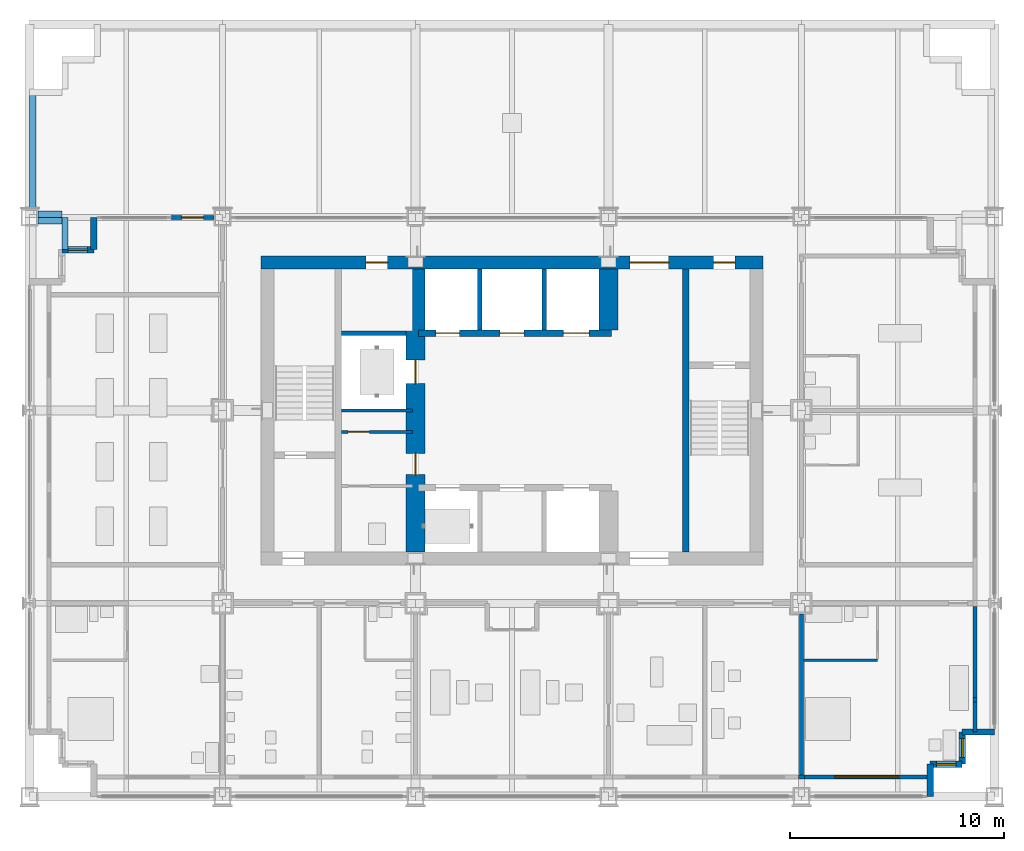
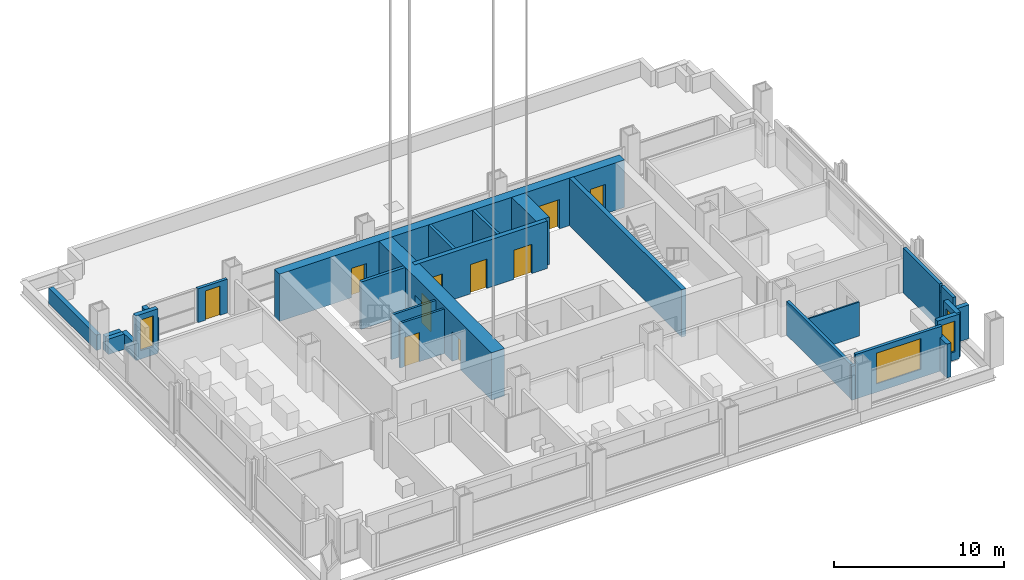
# One storey, part 9 of 15: 28 walls, 10 doors, 4 windows, 14 openings.
"""IFC4 building model written with IfcOpenShell, lengths in metres."""

from ifc_helpers import new_model, si_unit, direction, frame, frame_2d, origin, place, context, subcontext, project, spatial, rectangle, extrude, material, layer, layer_set, type_object, element, fill, save


model = new_model("IFC4")

# Units and contexts
model_context = context("Model", 3, precision=1e-05, world=origin(), true_north=direction((0.0, 1.0)))
body_context = subcontext(model_context, "Body", "Model", "MODEL_VIEW")
ifc_project = project(units=[si_unit("LENGTHUNIT", "METRE"), si_unit("AREAUNIT", "SQUARE_METRE"), si_unit("VOLUMEUNIT", "CUBIC_METRE"), si_unit("PLANEANGLEUNIT", "RADIAN"), si_unit("MASSUNIT", "GRAM", prefix="KILO")], contexts=[model_context])

# Site, building, storey
site_placement = place(None, origin())
site = spatial("IfcSite", under=ifc_project, at=site_placement, CompositionType="ELEMENT")
building_placement = place(site_placement, origin())
building = spatial("IfcBuilding", under=site, at=building_placement, Name="Loomwork Tower", CompositionType="ELEMENT")
storey_placement = place(building_placement, frame((0.0, 0.0, 160.39990234375)))
storey = spatial("IfcBuildingStorey", under=building, at=storey_placement, Name="L43", CompositionType="ELEMENT", Elevation=160.39990234375)

# Wall, openings, doors
ifc_material_1 = material(Name="Concrete 14000 psi (97 MPa)", Category="concrete")
ifc_layer_1 = layer(ifc_material_1, 0.300048828125)
ifc_layer_set_1 = layer_set([ifc_layer_1], Name="Core shear wall 300")
wall_type_1 = type_object("IfcWallType", Name="Core shear wall 300", PredefinedType="SHEAR", material=ifc_layer_set_1)
wall_1_placement = place(storey_placement, frame((18.14990234375, 21.60009765625, 0.0), z_axis=(0.0, 0.0, 1.0), x_axis=(1.0, 0.0, 0.0)))
wall_1 = element("IfcWall", 1, at=wall_1_placement, inside=storey, type_object=wall_type_1, Name="Lift front wall north L43", PredefinedType="SHEAR", context=body_context, shape_type="SweptSolid", body=[
    extrude(rectangle(XDim=9.0, YDim=0.300048828125, at=frame_2d((4.5, 0.0))), origin(), (0.0, 0.0, 1.0), 3.400146484375),
])
opening_1_placement = place(wall_1_placement, frame((0.800048828125, 0.0, 0.0)))
opening_1 = element("IfcOpeningElement", 2, at=opening_1_placement, cuts=wall_1, Name="Opening LD1", PredefinedType="OPENING", context=body_context, shape_type="SweptSolid", body=[
    extrude(rectangle(XDim=1.10009765625, YDim=2.10009765625, at=frame_2d((0.550048828125, 1.050048828125))), frame((0.0, 0.159912109375, 0.0), z_axis=(0.0, -1.0, 0.0), x_axis=(1.0, 0.0, 0.0)), (0.0, 0.0, 1.0), 0.320068359375),
])
opening_2_placement = place(wall_1_placement, frame((3.800048828125, 0.0, 0.0)))
opening_2 = element("IfcOpeningElement", 3, at=opening_2_placement, cuts=wall_1, Name="Opening LD1", PredefinedType="OPENING", context=body_context, shape_type="SweptSolid", body=[
    extrude(rectangle(XDim=1.10009765625, YDim=2.10009765625, at=frame_2d((0.550048828125, 1.050048828125))), frame((0.0, 0.159912109375, 0.0), z_axis=(0.0, -1.0, 0.0), x_axis=(1.0, 0.0, 0.0)), (0.0, 0.0, 1.0), 0.320068359375),
])
opening_3_placement = place(wall_1_placement, frame((6.75, 0.0, 0.0)))
opening_3 = element("IfcOpeningElement", 4, at=opening_3_placement, cuts=wall_1, Name="Opening LD2", PredefinedType="OPENING", context=body_context, shape_type="SweptSolid", body=[
    extrude(rectangle(XDim=1.199951171875, YDim=2.10009765625, at=frame_2d((0.60009765625, 1.050048828125))), frame((0.0, 0.159912109375, 0.0), z_axis=(0.0, -1.0, 0.0), x_axis=(1.0, 0.0, 0.0)), (0.0, 0.0, 1.0), 0.320068359375),
])
ifc_material_2 = material(Name="Hollow metal door and frame")
door_type_1 = type_object("IfcDoorType", Name="Lift landing door 1100", OperationType="SLIDING_TO_LEFT", PredefinedType="DOOR", material=ifc_material_2)
door_1_placement = place(opening_1_placement, origin())
door_1 = element("IfcDoor", 5, at=door_1_placement, inside=storey, type_object=door_type_1, Name="Lift landing door LS1", OperationType="SLIDING_TO_LEFT", OverallHeight=2.10009765625, OverallWidth=1.10009765625, PredefinedType="DOOR", context=body_context, shape_type="SweptSolid", body=[
    extrude(rectangle(XDim=1.10009765625, YDim=2.10009765625, at=frame_2d((0.550048828125, 1.050048828125))), frame((0.0, 0.02490234375, 0.0), z_axis=(0.0, -1.0, 0.0), x_axis=(1.0, 0.0, 0.0)), (0.0, 0.0, 1.0), 0.050048828125),
])
fill(opening_1, door_1)
door_2_placement = place(opening_2_placement, origin())
door_2 = element("IfcDoor", 6, at=door_2_placement, inside=storey, type_object=door_type_1, Name="Lift landing door LS2", OperationType="SLIDING_TO_LEFT", OverallHeight=2.10009765625, OverallWidth=1.10009765625, PredefinedType="DOOR", context=body_context, shape_type="SweptSolid", body=[
    extrude(rectangle(XDim=1.10009765625, YDim=2.10009765625, at=frame_2d((0.550048828125, 1.050048828125))), frame((0.0, 0.02490234375, 0.0), z_axis=(0.0, -1.0, 0.0), x_axis=(1.0, 0.0, 0.0)), (0.0, 0.0, 1.0), 0.050048828125),
])
fill(opening_2, door_2)
ifc_material_3 = material(Name="Hollow metal door and frame")
door_type_2 = type_object("IfcDoorType", Name="Lift landing door 1200", OperationType="SLIDING_TO_LEFT", PredefinedType="DOOR", material=ifc_material_3)
door_3_placement = place(opening_3_placement, origin())
door_3 = element("IfcDoor", 7, at=door_3_placement, inside=storey, type_object=door_type_2, Name="Lift landing door LF2", OperationType="SLIDING_TO_LEFT", OverallHeight=2.10009765625, OverallWidth=1.199951171875, PredefinedType="DOOR", context=body_context, shape_type="SweptSolid", body=[
    extrude(rectangle(XDim=1.199951171875, YDim=2.10009765625, at=frame_2d((0.60009765625, 1.050048828125))), frame((0.0, 0.02490234375, 0.0), z_axis=(0.0, -1.0, 0.0), x_axis=(1.0, 0.0, 0.0)), (0.0, 0.0, 1.0), 0.050048828125),
])
fill(opening_3, door_3)

# Wall
wall_2_placement = place(storey_placement, frame((30.60009765625, 11.39990234375, 0.0), z_axis=(0.0, 0.0, 1.0), x_axis=(0.0, 1.0, 0.0)))
element("IfcWall", 8, at=wall_2_placement, inside=storey, type_object=wall_type_1, Name="Stair B west wall L43", PredefinedType="SHEAR", context=body_context, shape_type="SweptSolid", body=[
    extrude(rectangle(XDim=13.2001953125, YDim=0.300048828125, at=frame_2d((6.60009765625, 0.0))), origin(), (0.0, 0.0, 1.0), 3.400146484375),
])

# Wall, openings, doors
ifc_material_4 = material(Name="Concrete 14000 psi (97 MPa)", Category="concrete")
ifc_layer_2 = layer(ifc_material_4, 0.60009765625)
ifc_layer_set_2 = layer_set([ifc_layer_2], Name="Core shear wall 600")
wall_type_2 = type_object("IfcWallType", Name="Core shear wall 600", PredefinedType="SHEAR", material=ifc_layer_set_2)
wall_3_placement = place(storey_placement, frame((10.800048828125, 24.89990234375, 0.0), z_axis=(0.0, 0.0, 1.0), x_axis=(1.0, 0.0, 0.0)))
wall_3 = element("IfcWall", 9, at=wall_3_placement, inside=storey, type_object=wall_type_2, Name="Core wall north L43", PredefinedType="SHEAR", context=body_context, shape_type="SweptSolid", body=[
    extrude(rectangle(XDim=23.39990234375, YDim=0.60009765625, at=frame_2d((11.699951171875, 0.0))), origin(), (0.0, 0.0, 1.0), 3.400146484375),
])
opening_4_placement = place(wall_3_placement, frame((17.199951171875, 0.0, 0.0)))
opening_4 = element("IfcOpeningElement", 10, at=opening_4_placement, cuts=wall_3, Name="Opening D6", PredefinedType="OPENING", context=body_context, shape_type="SweptSolid", body=[
    extrude(rectangle(XDim=1.800048828125, YDim=2.10009765625, at=frame_2d((0.89990234375, 1.050048828125))), frame((0.0, 0.31005859375, 0.0), z_axis=(0.0, -1.0, 0.0), x_axis=(1.0, 0.0, 0.0)), (0.0, 0.0, 1.0), 0.6201171875),
])
opening_5_placement = place(wall_3_placement, frame((21.10009765625, 0.0, 0.0)))
opening_5 = element("IfcOpeningElement", 11, at=opening_5_placement, cuts=wall_3, Name="Opening D4", PredefinedType="OPENING", context=body_context, shape_type="SweptSolid", body=[
    extrude(rectangle(XDim=1.0, YDim=2.10009765625, at=frame_2d((0.5, 1.050048828125))), frame((0.0, 0.31005859375, 0.0), z_axis=(0.0, -1.0, 0.0), x_axis=(1.0, 0.0, 0.0)), (0.0, 0.0, 1.0), 0.6201171875),
])
opening_6_placement = place(wall_3_placement, frame((4.89990234375, 0.0, 0.0)))
opening_6 = element("IfcOpeningElement", 12, at=opening_6_placement, cuts=wall_3, Name="Opening D5", PredefinedType="OPENING", context=body_context, shape_type="SweptSolid", body=[
    extrude(rectangle(XDim=1.0, YDim=2.10009765625, at=frame_2d((0.5, 1.050048828125))), frame((0.0, 0.31005859375, 0.0), z_axis=(0.0, -1.0, 0.0), x_axis=(1.0, 0.0, 0.0)), (0.0, 0.0, 1.0), 0.6201171875),
])
ifc_material_5 = material(Name="Hollow metal door and frame")
door_type_3 = type_object("IfcDoorType", Name="Lobby passage double door 1800", OperationType="DOUBLE_DOOR_SINGLE_SWING", PredefinedType="DOOR", material=ifc_material_5)
door_4_placement = place(opening_4_placement, frame((1.800048828125, 0.0, 0.0), z_axis=(0.0, 0.0, 1.0), x_axis=(-1.0, 0.0, 0.0)))
door_4 = element("IfcDoor", 13, at=door_4_placement, inside=storey, type_object=door_type_3, Name="Lobby passage door north", OperationType="DOUBLE_DOOR_SINGLE_SWING", OverallHeight=2.10009765625, OverallWidth=1.800048828125, PredefinedType="DOOR", context=body_context, shape_type="SweptSolid", body=[
    extrude(rectangle(XDim=1.800048828125, YDim=2.10009765625, at=frame_2d((0.89990234375, 1.050048828125))), frame((0.0, 0.02490234375, 0.0), z_axis=(0.0, -1.0, 0.0), x_axis=(1.0, 0.0, 0.0)), (0.0, 0.0, 1.0), 0.050048828125),
])
fill(opening_4, door_4)
ifc_material_6 = material(Name="Hollow metal door and frame")
door_type_4 = type_object("IfcDoorType", Name="Service door 1000", OperationType="SINGLE_SWING_LEFT", PredefinedType="DOOR", material=ifc_material_6)
door_5_placement = place(opening_6_placement, frame((1.0, 0.0, 0.0), z_axis=(0.0, 0.0, 1.0), x_axis=(-1.0, 0.0, 0.0)))
door_5 = element("IfcDoor", 14, at=door_5_placement, inside=storey, type_object=door_type_4, Name="Back-of-house door north", OperationType="SINGLE_SWING_LEFT", OverallHeight=2.10009765625, OverallWidth=1.0, PredefinedType="DOOR", context=body_context, shape_type="SweptSolid", body=[
    extrude(rectangle(XDim=1.0, YDim=2.10009765625, at=frame_2d((0.5, 1.050048828125))), frame((0.0, 0.02490234375, 0.0), z_axis=(0.0, -1.0, 0.0), x_axis=(1.0, 0.0, 0.0)), (0.0, 0.0, 1.0), 0.050048828125),
])
fill(opening_6, door_5)
ifc_material_7 = material(Name="Hollow metal door and frame")
door_type_5 = type_object("IfcDoorType", Name="Stair door 1000", OperationType="SINGLE_SWING_RIGHT", PredefinedType="DOOR", material=ifc_material_7)
door_6_placement = place(opening_5_placement, frame((1.0, 0.0, 0.0), z_axis=(0.0, 0.0, 1.0), x_axis=(-1.0, 0.0, 0.0)))
door_6 = element("IfcDoor", 15, at=door_6_placement, inside=storey, type_object=door_type_5, Name="Stair B vestibule door", OperationType="SINGLE_SWING_LEFT", OverallHeight=2.10009765625, OverallWidth=1.0, PredefinedType="DOOR", context=body_context, shape_type="SweptSolid", body=[
    extrude(rectangle(XDim=1.0, YDim=2.10009765625, at=frame_2d((0.5, 1.050048828125))), frame((0.0, 0.02490234375, 0.0), z_axis=(0.0, -1.0, 0.0), x_axis=(1.0, 0.0, 0.0)), (0.0, 0.0, 1.0), 0.050048828125),
])
fill(opening_5, door_6)

ifc_material_8 = material(Name="Concrete 14000 psi (97 MPa)", Category="concrete")
ifc_layer_3 = layer(ifc_material_8, 0.89990234375)
ifc_layer_set_3 = layer_set([ifc_layer_3], Name="Core shear wall 900")
wall_type_3 = type_object("IfcWallType", Name="Core shear wall 900", PredefinedType="SHEAR", material=ifc_layer_set_3)
wall_4_placement = place(storey_placement, frame((18.0, 11.39990234375, 0.0), z_axis=(0.0, 0.0, 1.0), x_axis=(0.0, 1.0, 0.0)))
wall_4 = element("IfcWall", 16, at=wall_4_placement, inside=storey, type_object=wall_type_3, Name="Lobby west wall L43", PredefinedType="SHEAR", context=body_context, shape_type="SweptSolid", body=[
    extrude(rectangle(XDim=13.2001953125, YDim=0.89990234375, at=frame_2d((6.60009765625, 0.0))), origin(), (0.0, 0.0, 1.0), 3.400146484375),
])
opening_7_placement = place(wall_4_placement, frame((3.60009765625, 0.0, 0.0)))
opening_7 = element("IfcOpeningElement", 17, at=opening_7_placement, cuts=wall_4, Name="Opening D5", PredefinedType="OPENING", context=body_context, shape_type="SweptSolid", body=[
    extrude(rectangle(XDim=1.0, YDim=2.10009765625, at=frame_2d((0.5, 1.050048828125))), frame((0.0, 0.4599609375, 0.0), z_axis=(0.0, -1.0, 0.0), x_axis=(1.0, 0.0, 0.0)), (0.0, 0.0, 1.0), 0.919921875),
])
opening_8_placement = place(wall_4_placement, frame((7.85009765625, 0.0, 0.0)))
opening_8 = element("IfcOpeningElement", 18, at=opening_8_placement, cuts=wall_4, Name="Opening LD1", PredefinedType="OPENING", context=body_context, shape_type="SweptSolid", body=[
    extrude(rectangle(XDim=1.10009765625, YDim=2.10009765625, at=frame_2d((0.550048828125, 1.050048828125))), frame((0.0, 0.4599609375, 0.0), z_axis=(0.0, -1.0, 0.0), x_axis=(1.0, 0.0, 0.0)), (0.0, 0.0, 1.0), 0.919921875),
])
door_7_placement = place(opening_8_placement, origin())
door_7 = element("IfcDoor", 19, at=door_7_placement, inside=storey, type_object=door_type_1, Name="Lift landing door LC2", OperationType="SLIDING_TO_LEFT", OverallHeight=2.10009765625, OverallWidth=1.10009765625, PredefinedType="DOOR", context=body_context, shape_type="SweptSolid", body=[
    extrude(rectangle(XDim=1.10009765625, YDim=2.10009765625, at=frame_2d((0.550048828125, 1.050048828125))), frame((0.0, 0.02490234375, 0.0), z_axis=(0.0, -1.0, 0.0), x_axis=(1.0, 0.0, 0.0)), (0.0, 0.0, 1.0), 0.050048828125),
])
fill(opening_8, door_7)
door_8_placement = place(opening_7_placement, origin())
door_8 = element("IfcDoor", 20, at=door_8_placement, inside=storey, type_object=door_type_4, Name="Back-of-house door south", OperationType="SINGLE_SWING_LEFT", OverallHeight=2.10009765625, OverallWidth=1.0, PredefinedType="DOOR", context=body_context, shape_type="SweptSolid", body=[
    extrude(rectangle(XDim=1.0, YDim=2.10009765625, at=frame_2d((0.5, 1.050048828125))), frame((0.0, 0.02490234375, 0.0), z_axis=(0.0, -1.0, 0.0), x_axis=(1.0, 0.0, 0.0)), (0.0, 0.0, 1.0), 0.050048828125),
])
fill(opening_7, door_8)

# Walls
wall_5_placement = place(storey_placement, frame((27.0, 21.75, 0.0), z_axis=(0.0, 0.0, 1.0), x_axis=(0.0, 1.0, 0.0)))
element("IfcWall", 21, at=wall_5_placement, inside=storey, type_object=wall_type_3, Name="Lift shaft end wall north L43", PredefinedType="SHEAR", context=body_context, shape_type="SweptSolid", body=[
    extrude(rectangle(XDim=2.85009765625, YDim=0.89990234375, at=frame_2d((1.425048828125, 0.0))), origin(), (0.0, 0.0, 1.0), 3.400146484375),
])
ifc_material_9 = material(Name="Cement board on steel studs", Category="steel")
ifc_layer_4 = layer(ifc_material_9, 0.10009765625)
ifc_layer_set_4 = layer_set([ifc_layer_4], Name="En-suite partition 100")
wall_type_4 = type_object("IfcWallType", Name="En-suite partition 100", PredefinedType="PARTITIONING", material=ifc_layer_set_4)
wall_6_placement = place(storey_placement, frame((36.10009765625, 6.35009765625, 0.0), z_axis=(0.0, 0.0, 1.0), x_axis=(1.0, 0.0, 0.0)))
element("IfcWall", 22, at=wall_6_placement, inside=storey, type_object=wall_type_4, Name="En-suite wall L43 room 7", PredefinedType="PARTITIONING", context=body_context, shape_type="SweptSolid", body=[
    extrude(rectangle(XDim=3.449951171875, YDim=0.10009765625, at=frame_2d((1.72509765625, 0.0))), origin(), (0.0, 0.0, 1.0), 2.43798828125),
])
ifc_material_10 = material(Name="Gypsum board on steel studs, acoustic", Category="steel")
ifc_layer_5 = layer(ifc_material_10, 0.199951171875)
ifc_layer_set_5 = layer_set([ifc_layer_5], Name="Guest room party wall 200")
wall_type_5 = type_object("IfcWallType", Name="Guest room party wall 200", PredefinedType="PARTITIONING", material=ifc_layer_set_5)
wall_7_placement = place(storey_placement, frame((36.0, 8.5, 0.0), z_axis=(0.0, 0.0, 1.0), x_axis=(0.0, -1.0, 0.0)))
element("IfcWall", 23, at=wall_7_placement, inside=storey, type_object=wall_type_5, Name="Guest room party wall S 36", PredefinedType="PARTITIONING", context=body_context, shape_type="SweptSolid", body=[
    extrude(rectangle(XDim=7.5, YDim=0.199951171875, at=frame_2d((3.75, 0.0))), origin(), (0.0, 0.0, 1.0), 2.43798828125),
])
ifc_material_11 = material(Name="Insulated steel stud wall with gypsum lining", Category="steel")
ifc_layer_6 = layer(ifc_material_11, 0.199951171875)
ifc_layer_set_6 = layer_set([ifc_layer_6], Name="Inner skin wall 200")
wall_type_6 = type_object("IfcWallType", Name="Inner skin wall 200", PredefinedType="SOLIDWALL", material=ifc_layer_set_6)
wall_8_placement = place(storey_placement, frame((44.10009765625, 3.0, 0.0), z_axis=(0.0, 0.0, 1.0), x_axis=(0.0, 1.0, 0.0)))
element("IfcWall", 24, at=wall_8_placement, inside=storey, type_object=wall_type_6, Name="Inner skin wall E", PredefinedType="SOLIDWALL", context=body_context, shape_type="SweptSolid", body=[
    extrude(rectangle(XDim=1.392578125, YDim=0.199951171875, at=frame_2d((0.6962890625, 0.0))), origin(), (0.0, 0.0, 1.0), 3.2001953125),
])
wall_9_placement = place(storey_placement, frame((35.864501953125, 0.89990234375, 0.0), z_axis=(0.0, 0.0, 1.0), x_axis=(1.0, 0.0, 0.0)))
element("IfcWall", 25, at=wall_9_placement, inside=storey, type_object=wall_type_6, Name="Inner skin wall S bay 8", PredefinedType="SOLIDWALL", context=body_context, shape_type="SweptSolid", body=[
    extrude(rectangle(XDim=0.27099609375, YDim=0.199951171875, at=frame_2d((0.135498046875, 0.0))), origin(), (0.0, 0.0, 1.0), 2.43798828125),
])

# Wall, opening, window
wall_10_placement = place(storey_placement, frame((36.135498046875, 0.89990234375, 0.0), z_axis=(0.0, 0.0, 1.0), x_axis=(1.0, 0.0, 0.0)))
wall_10 = element("IfcWall", 26, at=wall_10_placement, inside=storey, type_object=wall_type_6, Name="Inner skin wall S bay 9", PredefinedType="SOLIDWALL", context=body_context, shape_type="SweptSolid", body=[
    extrude(rectangle(XDim=5.864501953125, YDim=0.199951171875, at=frame_2d((2.93212890625, 0.0))), origin(), (0.0, 0.0, 1.0), 3.2001953125),
])
opening_9_placement = place(wall_10_placement, frame((1.41455078125, 0.0, 0.60009765625)))
opening_9 = element("IfcOpeningElement", 27, at=opening_9_placement, cuts=wall_10, Name="Opening CH1", PredefinedType="OPENING", context=body_context, shape_type="SweptSolid", body=[
    extrude(rectangle(XDim=3.0, YDim=2.199951171875, at=frame_2d((1.5, 1.10009765625))), frame((0.0, 0.10986328125, 0.0), z_axis=(0.0, -1.0, 0.0), x_axis=(1.0, 0.0, 0.0)), (0.0, 0.0, 1.0), 0.219970703125),
])
ifc_material_12 = material(Name="Aluminium frame with clear insulated glass", Category="aluminium")
window_type_1 = type_object("IfcWindowType", Name="Chicago window 3000", PartitioningType="TRIPLE_PANEL_VERTICAL", PredefinedType="WINDOW", material=ifc_material_12)
window_1_placement = place(opening_9_placement, origin())
window_1 = element("IfcWindow", 28, at=window_1_placement, inside=storey, type_object=window_type_1, Name="Chicago window L43 bay 5", OverallHeight=2.199951171875, OverallWidth=3.0, PartitioningType="TRIPLE_PANEL_VERTICAL", PredefinedType="WINDOW", context=body_context, shape_type="SweptSolid", body=[
    extrude(rectangle(XDim=3.0, YDim=2.199951171875, at=frame_2d((1.5, 1.10009765625))), frame((0.0, 0.030029296875, 0.0), z_axis=(0.0, -1.0, 0.0), x_axis=(1.0, 0.0, 0.0)), (0.0, 0.0, 1.0), 0.06005859375),
])
fill(opening_9, window_1)

# Walls
wall_11_placement = place(storey_placement, frame((44.10009765625, 4.392578125, 0.0), z_axis=(0.0, 0.0, 1.0), x_axis=(0.0, 1.0, 0.0)))
element("IfcWall", 29, at=wall_11_placement, inside=storey, type_object=wall_type_6, Name="Inner skin wall E bay 2", PredefinedType="SOLIDWALL", context=body_context, shape_type="SweptSolid", body=[
    extrude(rectangle(XDim=0.21484375, YDim=0.199951171875, at=frame_2d((0.107421875, 0.0))), origin(), (0.0, 0.0, 1.0), 2.6611328125),
])
wall_12_placement = place(storey_placement, frame((44.10009765625, 4.607421875, 0.0), z_axis=(0.0, 0.0, 1.0), x_axis=(0.0, 1.0, 0.0)))
element("IfcWall", 30, at=wall_12_placement, inside=storey, type_object=wall_type_6, Name="Inner skin wall E bay 3", PredefinedType="SOLIDWALL", context=body_context, shape_type="SweptSolid", body=[
    extrude(rectangle(XDim=4.25732421875, YDim=0.199951171875, at=frame_2d((2.128662109375, 0.0))), origin(), (0.0, 0.0, 1.0), 3.2001953125),
])
ifc_material_13 = material(Name="Concrete 14000 psi (97 MPa)", Category="concrete")
ifc_layer_7 = layer(ifc_material_13, 0.199951171875)
ifc_layer_set_7 = layer_set([ifc_layer_7], Name="Lift shaft wall 200")
wall_type_7 = type_object("IfcWallType", Name="Lift shaft wall 200", PredefinedType="SHEAR", material=ifc_layer_set_7)
for number, where, z_axis, x_axis, name in (
    (31, (21.0, 21.75, 0.0), (0.0, 0.0, 1.0), (0.0, 1.0, 0.0), "Lift shaft separation wall north 1 L43"),
    (32, (24.0, 21.75, 0.0), (0.0, 0.0, 1.0), (0.0, 1.0, 0.0), "Lift shaft separation wall north 2 L43"),
):
    element("IfcWall", number, at=place(storey_placement, frame(where, z_axis=z_axis, x_axis=x_axis)), inside=storey, type_object=wall_type_7, Name=name, PredefinedType="SHEAR", context=body_context, shape_type="SweptSolid", body=[
        extrude(rectangle(XDim=2.85009765625, YDim=0.199951171875, at=frame_2d((1.425048828125, 0.0))), origin(), (0.0, 0.0, 1.0), 3.400146484375),
    ])
wall_13_placement = place(storey_placement, frame((14.550048828125, 21.60009765625, 0.0), z_axis=(0.0, 0.0, 1.0), x_axis=(1.0, 0.0, 0.0)))
element("IfcWall", 33, at=wall_13_placement, inside=storey, type_object=wall_type_7, Name="Lift shaft wall west north L43", PredefinedType="SHEAR", context=body_context, shape_type="SweptSolid", body=[
    extrude(rectangle(XDim=3.0, YDim=0.199951171875, at=frame_2d((1.5, 0.0))), origin(), (0.0, 0.0, 1.0), 3.400146484375),
])
ifc_material_14 = material(Name="Limestone on concrete masonry", Category="masonry")
ifc_layer_8 = layer(ifc_material_14, 0.300048828125)
ifc_layer_set_8 = layer_set([ifc_layer_8], Name="Limestone corner wall 300")
wall_type_8 = type_object("IfcWallType", Name="Limestone corner wall 300", PredefinedType="SOLIDWALL", material=ifc_layer_set_8)
wall_14_placement = place(storey_placement, frame((42.0, 0.0, 0.0), z_axis=(0.0, 0.0, 1.0), x_axis=(0.0, 1.0, 0.0)))
element("IfcWall", 34, at=wall_14_placement, inside=storey, type_object=wall_type_8, Name="Stone corner wall SE 1", PredefinedType="SOLIDWALL", context=body_context, shape_type="SweptSolid", body=[
    extrude(rectangle(XDim=1.5, YDim=0.300048828125, at=frame_2d((0.75, 0.0))), origin(), (0.0, 0.0, 1.0), 2.420166015625),
])

# Wall, opening, window
wall_15_placement = place(storey_placement, frame((42.0, 1.5, 0.0), z_axis=(0.0, 0.0, 1.0), x_axis=(1.0, 0.0, 0.0)))
wall_15 = element("IfcWall", 35, at=wall_15_placement, inside=storey, type_object=wall_type_8, Name="Stone corner wall SE 2", PredefinedType="SOLIDWALL", context=body_context, shape_type="SweptSolid", body=[
    extrude(rectangle(XDim=1.5, YDim=0.300048828125, at=frame_2d((0.75, 0.0))), origin(), (0.0, 0.0, 1.0), 3.2001953125),
])
opening_10_placement = place(wall_15_placement, frame((0.300048828125, 0.0, 0.60009765625)))
opening_10 = element("IfcOpeningElement", 36, at=opening_10_placement, cuts=wall_15, Name="Opening CH2", PredefinedType="OPENING", context=body_context, shape_type="SweptSolid", body=[
    extrude(rectangle(XDim=0.89990234375, YDim=2.199951171875, at=frame_2d((0.449951171875, 1.10009765625))), frame((0.0, 0.159912109375, 0.0), z_axis=(0.0, -1.0, 0.0), x_axis=(1.0, 0.0, 0.0)), (0.0, 0.0, 1.0), 0.320068359375),
])
ifc_material_15 = material(Name="Aluminium frame with clear insulated glass", Category="aluminium")
window_type_2 = type_object("IfcWindowType", Name="Corner window 900", PartitioningType="SINGLE_PANEL", PredefinedType="WINDOW", material=ifc_material_15)
window_2_placement = place(opening_10_placement, origin())
window_2 = element("IfcWindow", 37, at=window_2_placement, inside=storey, type_object=window_type_2, Name="Corner window SE", OverallHeight=2.199951171875, OverallWidth=0.89990234375, PartitioningType="SINGLE_PANEL", PredefinedType="WINDOW", context=body_context, shape_type="SweptSolid", body=[
    extrude(rectangle(XDim=0.89990234375, YDim=2.199951171875, at=frame_2d((0.449951171875, 1.10009765625))), frame((0.0, 0.030029296875, 0.0), z_axis=(0.0, -1.0, 0.0), x_axis=(1.0, 0.0, 0.0)), (0.0, 0.0, 1.0), 0.06005859375),
])
fill(opening_10, window_2)

wall_16_placement = place(storey_placement, frame((43.5, 1.5, 0.0), z_axis=(0.0, 0.0, 1.0), x_axis=(0.0, 1.0, 0.0)))
wall_16 = element("IfcWall", 38, at=wall_16_placement, inside=storey, type_object=wall_type_8, Name="Stone corner wall SE 3", PredefinedType="SOLIDWALL", context=body_context, shape_type="SweptSolid", body=[
    extrude(rectangle(XDim=1.5, YDim=0.300048828125, at=frame_2d((0.75, 0.0))), origin(), (0.0, 0.0, 1.0), 3.2001953125),
])
opening_11_placement = place(wall_16_placement, frame((0.300048828125, 0.0, 0.60009765625)))
opening_11 = element("IfcOpeningElement", 39, at=opening_11_placement, cuts=wall_16, Name="Opening CH2", PredefinedType="OPENING", context=body_context, shape_type="SweptSolid", body=[
    extrude(rectangle(XDim=0.89990234375, YDim=2.199951171875, at=frame_2d((0.449951171875, 1.10009765625))), frame((0.0, 0.159912109375, 0.0), z_axis=(0.0, -1.0, 0.0), x_axis=(1.0, 0.0, 0.0)), (0.0, 0.0, 1.0), 0.320068359375),
])
window_3_placement = place(opening_11_placement, origin())
window_3 = element("IfcWindow", 40, at=window_3_placement, inside=storey, type_object=window_type_2, Name="Corner window SE", OverallHeight=2.199951171875, OverallWidth=0.89990234375, PartitioningType="SINGLE_PANEL", PredefinedType="WINDOW", context=body_context, shape_type="SweptSolid", body=[
    extrude(rectangle(XDim=0.89990234375, YDim=2.199951171875, at=frame_2d((0.449951171875, 1.10009765625))), frame((0.0, 0.030029296875, 0.0), z_axis=(0.0, -1.0, 0.0), x_axis=(1.0, 0.0, 0.0)), (0.0, 0.0, 1.0), 0.06005859375),
])
fill(opening_11, window_3)

# Walls
for number, where, z_axis, x_axis, name in (
    (41, (43.5, 3.0, 0.0), (0.0, 0.0, 1.0), (1.0, 0.0, 0.0), "Stone corner wall SE 4"),
    (42, (3.0, 27.0, 0.0), (0.0, 0.0, 1.0), (0.0, -1.0, 0.0), "Stone corner wall NW 1"),
):
    element("IfcWall", number, at=place(storey_placement, frame(where, z_axis=z_axis, x_axis=x_axis)), inside=storey, type_object=wall_type_8, Name=name, PredefinedType="SOLIDWALL", context=body_context, shape_type="SweptSolid", body=[
        extrude(rectangle(XDim=1.5, YDim=0.300048828125, at=frame_2d((0.75, 0.0))), origin(), (0.0, 0.0, 1.0), 2.420166015625),
    ])

# Wall, opening, window
wall_17_placement = place(storey_placement, frame((3.0, 25.5, 0.0), z_axis=(0.0, 0.0, 1.0), x_axis=(-1.0, 0.0, 0.0)))
wall_17 = element("IfcWall", 43, at=wall_17_placement, inside=storey, type_object=wall_type_8, Name="Stone corner wall NW 2", PredefinedType="SOLIDWALL", context=body_context, shape_type="SweptSolid", body=[
    extrude(rectangle(XDim=1.5, YDim=0.300048828125, at=frame_2d((0.75, 0.0))), origin(), (0.0, 0.0, 1.0), 3.2001953125),
])
opening_12_placement = place(wall_17_placement, frame((0.300048828125, 0.0, 0.60009765625)))
opening_12 = element("IfcOpeningElement", 44, at=opening_12_placement, cuts=wall_17, Name="Opening CH2", PredefinedType="OPENING", context=body_context, shape_type="SweptSolid", body=[
    extrude(rectangle(XDim=0.89990234375, YDim=2.199951171875, at=frame_2d((0.449951171875, 1.10009765625))), frame((0.0, 0.159912109375, 0.0), z_axis=(0.0, -1.0, 0.0), x_axis=(1.0, 0.0, 0.0)), (0.0, 0.0, 1.0), 0.320068359375),
])
window_4_placement = place(opening_12_placement, origin())
window_4 = element("IfcWindow", 45, at=window_4_placement, inside=storey, type_object=window_type_2, Name="Corner window NW", OverallHeight=2.199951171875, OverallWidth=0.89990234375, PartitioningType="SINGLE_PANEL", PredefinedType="WINDOW", context=body_context, shape_type="SweptSolid", body=[
    extrude(rectangle(XDim=0.89990234375, YDim=2.199951171875, at=frame_2d((0.449951171875, 1.10009765625))), frame((0.0, 0.030029296875, 0.0), z_axis=(0.0, -1.0, 0.0), x_axis=(1.0, 0.0, 0.0)), (0.0, 0.0, 1.0), 0.06005859375),
])
fill(opening_12, window_4)

# Wall, opening, door
ifc_material_16 = material(Name="Insulated aluminium composite panel on steel frame", Category="steel")
ifc_layer_9 = layer(ifc_material_16, 0.199951171875)
ifc_layer_set_9 = layer_set([ifc_layer_9], Name="Outer skin door panel 200")
wall_type_9 = type_object("IfcWallType", Name="Outer skin door panel 200", PredefinedType="SOLIDWALL", material=ifc_layer_set_9)
wall_18_placement = place(storey_placement, frame((6.60009765625, 27.0, 0.0), z_axis=(0.0, 0.0, 1.0), x_axis=(1.0, 0.0, 0.0)))
wall_18 = element("IfcWall", 46, at=wall_18_placement, inside=storey, type_object=wall_type_9, Name="Outer skin door panel L43", PredefinedType="SOLIDWALL", context=body_context, shape_type="SweptSolid", body=[
    extrude(rectangle(XDim=2.0, YDim=0.199951171875, at=frame_2d((1.0, 0.0))), origin(), (0.0, 0.0, 1.0), 2.42041015625),
])
opening_13_placement = place(wall_18_placement, frame((0.5, 0.0, 0.0)))
opening_13 = element("IfcOpeningElement", 47, at=opening_13_placement, cuts=wall_18, Name="Opening D12", PredefinedType="OPENING", context=body_context, shape_type="SweptSolid", body=[
    extrude(rectangle(XDim=1.0, YDim=2.10009765625, at=frame_2d((0.5, 1.050048828125))), frame((0.0, 0.10986328125, 0.0), z_axis=(0.0, -1.0, 0.0), x_axis=(1.0, 0.0, 0.0)), (0.0, 0.0, 1.0), 0.219970703125),
])
ifc_material_17 = material(Name="Hollow metal door and frame")
door_type_6 = type_object("IfcDoorType", Name="External service door 1000", OperationType="SINGLE_SWING_RIGHT", PredefinedType="DOOR", material=ifc_material_17)
door_9_placement = place(opening_13_placement, origin())
door_9 = element("IfcDoor", 48, at=door_9_placement, inside=storey, type_object=door_type_6, Name="Roof access door L43 roof side", OperationType="SINGLE_SWING_RIGHT", OverallHeight=2.10009765625, OverallWidth=1.0, PredefinedType="DOOR", context=body_context, shape_type="SweptSolid", body=[
    extrude(rectangle(XDim=1.0, YDim=2.10009765625, at=frame_2d((0.5, 1.050048828125))), frame((0.0, 0.02490234375, 0.0), z_axis=(0.0, -1.0, 0.0), x_axis=(1.0, 0.0, 0.0)), (0.0, 0.0, 1.0), 0.050048828125),
])
fill(opening_13, door_9)

# Walls
ifc_material_18 = material(Name="Limestone on concrete masonry", Category="masonry")
ifc_layer_10 = layer(ifc_material_18, 0.300048828125)
ifc_layer_set_10 = layer_set([ifc_layer_10], Name="Parapet wall 300")
wall_type_10 = type_object("IfcWallType", Name="Parapet wall 300", PredefinedType="PARAPET", material=ifc_layer_set_10)
wall_19_placement = place(storey_placement, frame((0.39990234375, 26.85009765625, 0.0), z_axis=(0.0, 0.0, 1.0), x_axis=(1.0, 0.0, 0.0)))
element("IfcWall", 49, at=wall_19_placement, inside=storey, type_object=wall_type_10, Name="Parapet L43 2", PredefinedType="PARAPET", context=body_context, shape_type="SweptSolid", body=[
    extrude(rectangle(XDim=1.10009765625, YDim=0.300048828125, at=frame_2d((0.550048828125, 0.0))), origin(), (0.0, 0.0, 1.0), 1.10009765625),
])
wall_20_placement = place(storey_placement, frame((1.64990234375, 25.5, 0.0), z_axis=(0.0, 0.0, 1.0), x_axis=(0.0, 1.0, 0.0)))
element("IfcWall", 50, at=wall_20_placement, inside=storey, type_object=wall_type_10, Name="Parapet L43 1", PredefinedType="PARAPET", context=body_context, shape_type="SweptSolid", body=[
    extrude(rectangle(XDim=1.5, YDim=0.300048828125, at=frame_2d((0.75, 0.0))), origin(), (0.0, 0.0, 1.0), 1.10009765625),
])
wall_21_placement = place(storey_placement, frame((1.5, 27.14990234375, 0.0), z_axis=(0.0, 0.0, 1.0), x_axis=(-1.0, 0.0, 0.0)))
element("IfcWall", 51, at=wall_21_placement, inside=storey, type_object=wall_type_10, Name="Parapet L43 2", PredefinedType="PARAPET", context=body_context, shape_type="SweptSolid", body=[
    extrude(rectangle(XDim=1.10009765625, YDim=0.300048828125, at=frame_2d((0.550048828125, 0.0))), origin(), (0.0, 0.0, 1.0), 1.10009765625),
])
wall_22_placement = place(storey_placement, frame((0.14990234375, 27.39990234375, 0.0), z_axis=(0.0, 0.0, 1.0), x_axis=(0.0, 1.0, 0.0)))
element("IfcWall", 52, at=wall_22_placement, inside=storey, type_object=wall_type_10, Name="Parapet L43 3", PredefinedType="PARAPET", context=body_context, shape_type="SweptSolid", body=[
    extrude(rectangle(XDim=5.60009765625, YDim=0.300048828125, at=frame_2d((2.800048828125, 0.0))), origin(), (0.0, 0.0, 1.0), 1.10009765625),
])
ifc_material_19 = material(Name="Gypsum board on steel studs", Category="steel")
ifc_layer_11 = layer(ifc_material_19, 0.14990234375)
ifc_layer_set_11 = layer_set([ifc_layer_11], Name="Partition 150 two-hour")
wall_type_11 = type_object("IfcWallType", Name="Partition 150 two-hour", PredefinedType="PARTITIONING", material=ifc_layer_set_11)
wall_23_placement = place(storey_placement, frame((14.550048828125, 18.0, 0.0), z_axis=(0.0, 0.0, 1.0), x_axis=(1.0, 0.0, 0.0)))
element("IfcWall", 53, at=wall_23_placement, inside=storey, type_object=wall_type_11, Name="Back-of-house dividing wall L43", PredefinedType="PARTITIONING", context=body_context, shape_type="SweptSolid", body=[
    extrude(rectangle(XDim=3.300048828125, YDim=0.14990234375, at=frame_2d((1.64990234375, 0.0))), origin(), (0.0, 0.0, 1.0), 3.2001953125),
])

# Wall, opening, door
ifc_material_20 = material(Name="Gypsum board on steel studs, one-hour", Category="steel")
ifc_layer_12 = layer(ifc_material_20, 0.14990234375)
ifc_layer_set_12 = layer_set([ifc_layer_12], Name="Service partition 150")
wall_type_12 = type_object("IfcWallType", Name="Service partition 150", PredefinedType="PARTITIONING", material=ifc_layer_set_12)
wall_24_placement = place(storey_placement, frame((14.550048828125, 17.0, 0.0), z_axis=(0.0, 0.0, 1.0), x_axis=(1.0, 0.0, 0.0)))
wall_24 = element("IfcWall", 54, at=wall_24_placement, inside=storey, type_object=wall_type_12, Name="Riser enclosure L43", PredefinedType="PARTITIONING", context=body_context, shape_type="SweptSolid", body=[
    extrude(rectangle(XDim=3.300048828125, YDim=0.14990234375, at=frame_2d((1.64990234375, 0.0))), origin(), (0.0, 0.0, 1.0), 3.2001953125),
])
opening_14_placement = place(wall_24_placement, frame((0.300048828125, 0.0, 0.0)))
opening_14 = element("IfcOpeningElement", 55, at=opening_14_placement, cuts=wall_24, Name="Opening D18", PredefinedType="OPENING", context=body_context, shape_type="SweptSolid", body=[
    extrude(rectangle(XDim=1.0, YDim=2.10009765625, at=frame_2d((0.5, 1.050048828125))), frame((0.0, 0.0849609375, 0.0), z_axis=(0.0, -1.0, 0.0), x_axis=(1.0, 0.0, 0.0)), (0.0, 0.0, 1.0), 0.169921875),
])
ifc_material_21 = material(Name="Hollow metal door and frame")
door_type_7 = type_object("IfcDoorType", Name="Ninety-minute service door 1000", OperationType="SINGLE_SWING_LEFT", PredefinedType="DOOR", material=ifc_material_21)
door_10_placement = place(opening_14_placement, frame((1.0, 0.0, 0.0), z_axis=(0.0, 0.0, 1.0), x_axis=(-1.0, 0.0, 0.0)))
door_10 = element("IfcDoor", 56, at=door_10_placement, inside=storey, type_object=door_type_7, Name="Riser access door", OperationType="SINGLE_SWING_RIGHT", OverallHeight=2.10009765625, OverallWidth=1.0, PredefinedType="DOOR", context=body_context, shape_type="SweptSolid", body=[
    extrude(rectangle(XDim=1.0, YDim=2.10009765625, at=frame_2d((0.5, 1.050048828125))), frame((0.0, 0.02490234375, 0.0), z_axis=(0.0, -1.0, 0.0), x_axis=(1.0, 0.0, 0.0)), (0.0, 0.0, 1.0), 0.050048828125),
])
fill(opening_14, door_10)

save(model, "model.ifc")
